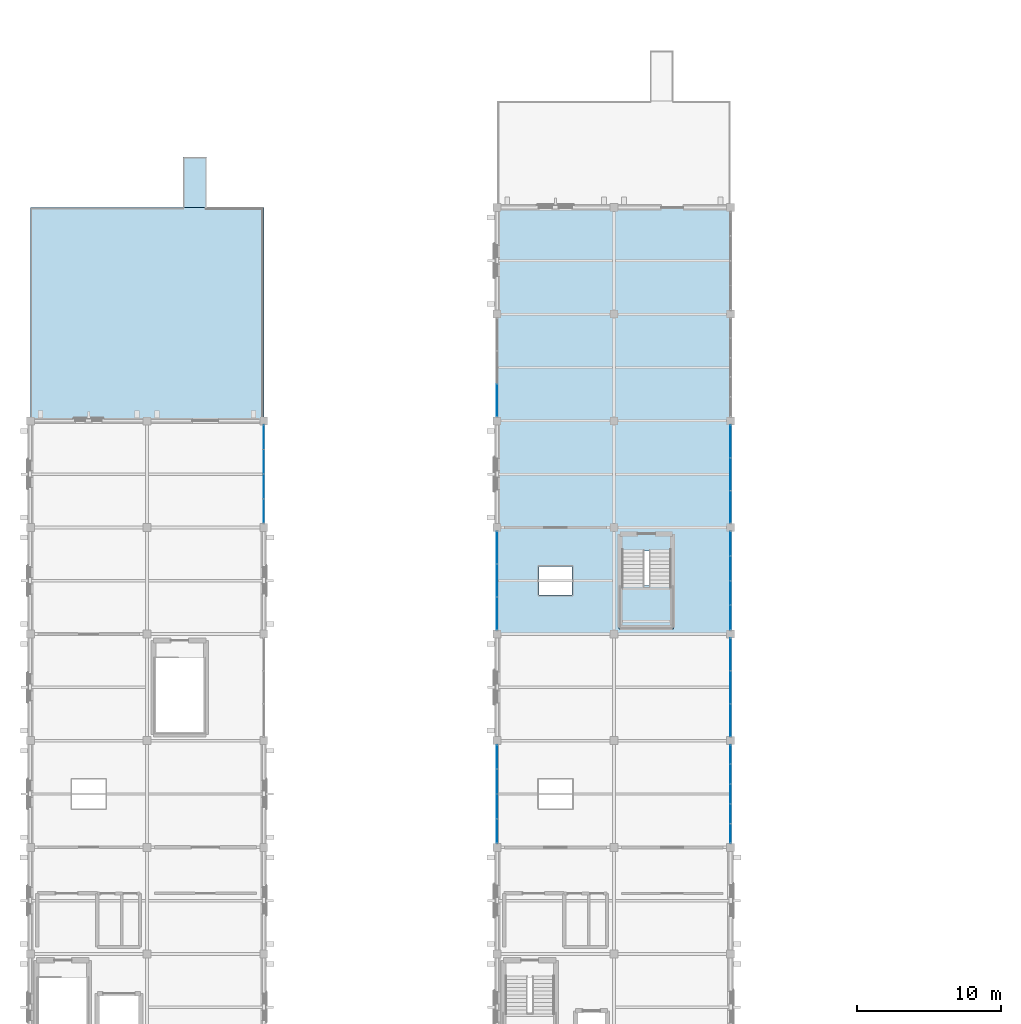
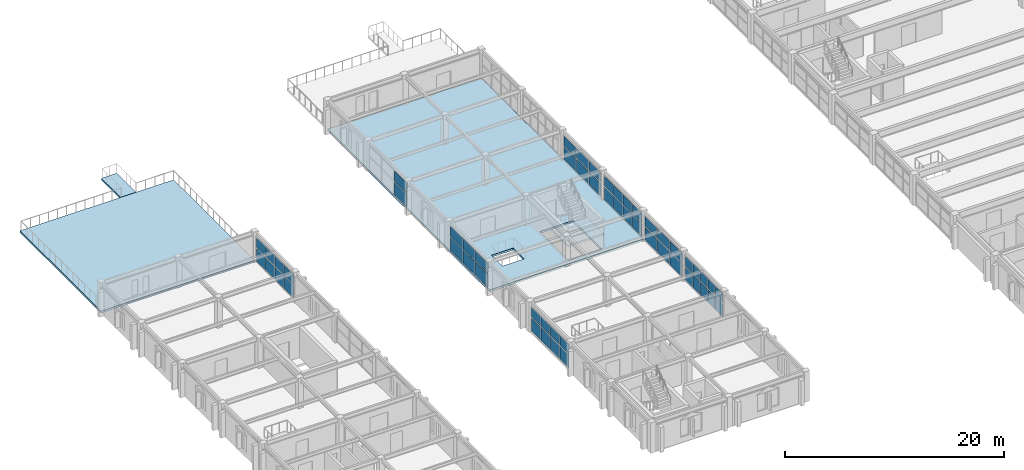
# One storey, part 72 of 93: 54 plates, 4 slabs, 9 elements without a shape of their own.
"""IFC4 building model written with IfcOpenShell, lengths in metres."""

from ifc_helpers import new_model, si_unit, direction, frame, origin, origin_2d, place, context, subcontext, project, spatial, polyline, rectangle, outline, extrude, material, layer, layer_set, type_object, element, aggregate, save


model = new_model("IFC4")

# Units and contexts
model_context = context("Model", 3, precision=1e-05, world=origin(), true_north=direction((0.0, 1.0)))
body_context = subcontext(model_context, "Body", "Model", "MODEL_VIEW")
ifc_project = project(units=[si_unit("LENGTHUNIT", "METRE"), si_unit("AREAUNIT", "SQUARE_METRE"), si_unit("VOLUMEUNIT", "CUBIC_METRE"), si_unit("PLANEANGLEUNIT", "RADIAN"), si_unit("MASSUNIT", "GRAM", prefix="KILO")], contexts=[model_context])

# Site, building, storey
site_placement = place(None, origin())
site = spatial("IfcSite", under=ifc_project, at=site_placement, CompositionType="ELEMENT")
building_placement = place(site_placement, origin())
building = spatial("IfcBuilding", under=site, at=building_placement, Name="Cimatlan Art Gallery", CompositionType="ELEMENT")
storey_placement = place(building_placement, frame((0.0, 0.0, 13.800048828125)))
storey = spatial("IfcBuildingStorey", under=building, at=storey_placement, Name="L03", CompositionType="ELEMENT", Elevation=13.800048828125)

# Curtain wall, plates
ifc_material_1 = material(Name="Anodised bronze unitised curtain wall")
curtain_wall_type_1 = type_object("IfcCurtainWallType", Name="CW-V-06842X02878-B5", PredefinedType="NOTDEFINED", material=ifc_material_1)
curtain_wall_1_placement = place(storey_placement, origin())
curtain_wall_1 = element("IfcCurtainWall", 1, at=curtain_wall_1_placement, inside=storey, type_object=curtain_wall_type_1, Name="CW-L03-05-05-E", PredefinedType="NOTDEFINED")
ifc_material_2 = material(Name="Low-E insulated double glazing", Category="glass")
ifc_layer_1 = layer(ifc_material_2, 0.028076171875)
ifc_layer_set_1 = layer_set([ifc_layer_1], Name="Low-E insulated double glazing")
plate_type_1 = type_object("IfcPlateType", Name="PNL-1310X1082", PredefinedType="CURTAIN_PANEL", material=ifc_layer_set_1)
plate_1_placement = place(storey_placement, frame((50.60009765625, 45.13671875, 1.673828125), z_axis=(0.0, 0.0, 1.0), x_axis=(0.0, -1.0, 0.0)))
plate_1 = element("IfcPlate", 2, at=plate_1_placement, type_object=plate_type_1, Name="CW-L03-05-05-E-P12", PredefinedType="CURTAIN_PANEL", context=body_context, shape_type="SweptSolid", body=[
    extrude(rectangle(XDim=1.31005859375, YDim=0.028076171875, at=origin_2d()), origin(), (0.0, 0.0, 1.0), 1.08203125),
])
plate_2_placement = place(storey_placement, frame((50.60009765625, 43.768310546875, 1.673828125), z_axis=(0.0, 0.0, 1.0), x_axis=(0.0, -1.0, 0.0)))
plate_2 = element("IfcPlate", 3, at=plate_2_placement, type_object=plate_type_1, Name="CW-L03-05-05-E-P22", PredefinedType="CURTAIN_PANEL", context=body_context, shape_type="SweptSolid", body=[
    extrude(rectangle(XDim=1.31005859375, YDim=0.028076171875, at=origin_2d()), origin(), (0.0, 0.0, 1.0), 1.08203125),
])
plate_3_placement = place(storey_placement, frame((50.60009765625, 42.39990234375, 1.673828125), z_axis=(0.0, 0.0, 1.0), x_axis=(0.0, -1.0, 0.0)))
plate_3 = element("IfcPlate", 4, at=plate_3_placement, type_object=plate_type_1, Name="CW-L03-05-05-E-P32", PredefinedType="CURTAIN_PANEL", context=body_context, shape_type="SweptSolid", body=[
    extrude(rectangle(XDim=1.31005859375, YDim=0.028076171875, at=origin_2d()), origin(), (0.0, 0.0, 1.0), 1.08203125),
])
plate_4_placement = place(storey_placement, frame((50.60009765625, 41.031494140625, 1.673828125), z_axis=(0.0, 0.0, 1.0), x_axis=(0.0, -1.0, 0.0)))
plate_4 = element("IfcPlate", 5, at=plate_4_placement, type_object=plate_type_1, Name="CW-L03-05-05-E-P42", PredefinedType="CURTAIN_PANEL", context=body_context, shape_type="SweptSolid", body=[
    extrude(rectangle(XDim=1.31005859375, YDim=0.028076171875, at=origin_2d()), origin(), (0.0, 0.0, 1.0), 1.08203125),
])
plate_5_placement = place(storey_placement, frame((50.60009765625, 39.6630859375, 1.673828125), z_axis=(0.0, 0.0, 1.0), x_axis=(0.0, -1.0, 0.0)))
plate_5 = element("IfcPlate", 6, at=plate_5_placement, type_object=plate_type_1, Name="CW-L03-05-05-E-P52", PredefinedType="CURTAIN_PANEL", context=body_context, shape_type="SweptSolid", body=[
    extrude(rectangle(XDim=1.31005859375, YDim=0.028076171875, at=origin_2d()), origin(), (0.0, 0.0, 1.0), 1.08203125),
])
ifc_layer_2 = layer(ifc_material_2, 0.028076171875)
ifc_layer_set_2 = layer_set([ifc_layer_2], Name="Low-E insulated double glazing")
plate_type_2 = type_object("IfcPlateType", Name="PNL-1310X1428", PredefinedType="CURTAIN_PANEL", material=ifc_layer_set_2)
plate_6_placement = place(storey_placement, frame((50.60009765625, 45.13671875, 0.12158203125), z_axis=(0.0, 0.0, 1.0), x_axis=(0.0, -1.0, 0.0)))
plate_6 = element("IfcPlate", 7, at=plate_6_placement, type_object=plate_type_2, Name="CW-L03-05-05-E-P11", PredefinedType="CURTAIN_PANEL", context=body_context, shape_type="SweptSolid", body=[
    extrude(rectangle(XDim=1.31005859375, YDim=0.028076171875, at=origin_2d()), origin(), (0.0, 0.0, 1.0), 1.427978515625),
])
plate_7_placement = place(storey_placement, frame((50.60009765625, 43.768310546875, 0.12158203125), z_axis=(0.0, 0.0, 1.0), x_axis=(0.0, -1.0, 0.0)))
plate_7 = element("IfcPlate", 8, at=plate_7_placement, type_object=plate_type_2, Name="CW-L03-05-05-E-P21", PredefinedType="CURTAIN_PANEL", context=body_context, shape_type="SweptSolid", body=[
    extrude(rectangle(XDim=1.31005859375, YDim=0.028076171875, at=origin_2d()), origin(), (0.0, 0.0, 1.0), 1.427978515625),
])
plate_8_placement = place(storey_placement, frame((50.60009765625, 42.39990234375, 0.12158203125), z_axis=(0.0, 0.0, 1.0), x_axis=(0.0, -1.0, 0.0)))
plate_8 = element("IfcPlate", 9, at=plate_8_placement, type_object=plate_type_2, Name="CW-L03-05-05-E-P31", PredefinedType="CURTAIN_PANEL", context=body_context, shape_type="SweptSolid", body=[
    extrude(rectangle(XDim=1.31005859375, YDim=0.028076171875, at=origin_2d()), origin(), (0.0, 0.0, 1.0), 1.427978515625),
])
plate_9_placement = place(storey_placement, frame((50.60009765625, 41.031494140625, 0.12158203125), z_axis=(0.0, 0.0, 1.0), x_axis=(0.0, -1.0, 0.0)))
plate_9 = element("IfcPlate", 10, at=plate_9_placement, type_object=plate_type_2, Name="CW-L03-05-05-E-P41", PredefinedType="CURTAIN_PANEL", context=body_context, shape_type="SweptSolid", body=[
    extrude(rectangle(XDim=1.31005859375, YDim=0.028076171875, at=origin_2d()), origin(), (0.0, 0.0, 1.0), 1.427978515625),
])
plate_10_placement = place(storey_placement, frame((50.60009765625, 39.6630859375, 0.12158203125), z_axis=(0.0, 0.0, 1.0), x_axis=(0.0, -1.0, 0.0)))
plate_10 = element("IfcPlate", 11, at=plate_10_placement, type_object=plate_type_2, Name="CW-L03-05-05-E-P51", PredefinedType="CURTAIN_PANEL", context=body_context, shape_type="SweptSolid", body=[
    extrude(rectangle(XDim=1.31005859375, YDim=0.028076171875, at=origin_2d()), origin(), (0.0, 0.0, 1.0), 1.427978515625),
])
aggregate(curtain_wall_1, [plate_6, plate_1, plate_7, plate_2, plate_8, plate_3, plate_9, plate_4, plate_10, plate_5])

curtain_wall_type_2 = type_object("IfcCurtainWallType", Name="CW-V-06842X02833-B4", PredefinedType="NOTDEFINED", material=ifc_material_1)
curtain_wall_2_placement = place(storey_placement, origin())
curtain_wall_2 = element("IfcCurtainWall", 12, at=curtain_wall_2_placement, inside=storey, type_object=curtain_wall_type_2, Name="CW-L03-01-08-E", PredefinedType="NOTDEFINED")
ifc_layer_3 = layer(ifc_material_2, 0.028076171875)
ifc_layer_set_3 = layer_set([ifc_layer_3], Name="Low-E insulated double glazing")
plate_type_3 = type_object("IfcPlateType", Name="PNL-1652X1062", PredefinedType="CURTAIN_PANEL", material=ifc_layer_set_3)
plate_11_placement = place(storey_placement, frame((18.199951171875, 67.165771484375, 1.648681640625), z_axis=(0.0, 0.0, 1.0), x_axis=(0.0, -1.0, 0.0)))
plate_11 = element("IfcPlate", 13, at=plate_11_placement, type_object=plate_type_3, Name="CW-L03-01-08-E-P12", PredefinedType="CURTAIN_PANEL", context=body_context, shape_type="SweptSolid", body=[
    extrude(rectangle(XDim=1.652099609375, YDim=0.028076171875, at=origin_2d()), origin(), (0.0, 0.0, 1.0), 1.06201171875),
])
plate_12_placement = place(storey_placement, frame((18.199951171875, 65.455322265625, 1.648681640625), z_axis=(0.0, 0.0, 1.0), x_axis=(0.0, -1.0, 0.0)))
plate_12 = element("IfcPlate", 14, at=plate_12_placement, type_object=plate_type_3, Name="CW-L03-01-08-E-P22", PredefinedType="CURTAIN_PANEL", context=body_context, shape_type="SweptSolid", body=[
    extrude(rectangle(XDim=1.652099609375, YDim=0.028076171875, at=origin_2d()), origin(), (0.0, 0.0, 1.0), 1.06201171875),
])
plate_13_placement = place(storey_placement, frame((18.199951171875, 63.74462890625, 1.648681640625), z_axis=(0.0, 0.0, 1.0), x_axis=(0.0, -1.0, 0.0)))
plate_13 = element("IfcPlate", 15, at=plate_13_placement, type_object=plate_type_3, Name="CW-L03-01-08-E-P32", PredefinedType="CURTAIN_PANEL", context=body_context, shape_type="SweptSolid", body=[
    extrude(rectangle(XDim=1.652099609375, YDim=0.028076171875, at=origin_2d()), origin(), (0.0, 0.0, 1.0), 1.06201171875),
])
plate_14_placement = place(storey_placement, frame((18.199951171875, 62.0341796875, 1.648681640625), z_axis=(0.0, 0.0, 1.0), x_axis=(0.0, -1.0, 0.0)))
plate_14 = element("IfcPlate", 16, at=plate_14_placement, type_object=plate_type_3, Name="CW-L03-01-08-E-P42", PredefinedType="CURTAIN_PANEL", context=body_context, shape_type="SweptSolid", body=[
    extrude(rectangle(XDim=1.652099609375, YDim=0.028076171875, at=origin_2d()), origin(), (0.0, 0.0, 1.0), 1.06201171875),
])

curtain_wall_3_placement = place(storey_placement, origin())
curtain_wall_3 = element("IfcCurtainWall", 17, at=curtain_wall_3_placement, inside=storey, type_object=curtain_wall_type_2, Name="CW-L03-04-05-W", PredefinedType="NOTDEFINED")
plate_15_placement = place(storey_placement, frame((34.39990234375, 39.834228515625, 1.648681640625), z_axis=(0.0, 0.0, 1.0), x_axis=(0.0, 1.0, 0.0)))
plate_15 = element("IfcPlate", 18, at=plate_15_placement, type_object=plate_type_3, Name="CW-L03-04-05-W-P12", PredefinedType="CURTAIN_PANEL", context=body_context, shape_type="SweptSolid", body=[
    extrude(rectangle(XDim=1.652099609375, YDim=0.028076171875, at=origin_2d()), origin(), (0.0, 0.0, 1.0), 1.06201171875),
])
plate_16_placement = place(storey_placement, frame((34.39990234375, 41.544677734375, 1.648681640625), z_axis=(0.0, 0.0, 1.0), x_axis=(0.0, 1.0, 0.0)))
plate_16 = element("IfcPlate", 19, at=plate_16_placement, type_object=plate_type_3, Name="CW-L03-04-05-W-P22", PredefinedType="CURTAIN_PANEL", context=body_context, shape_type="SweptSolid", body=[
    extrude(rectangle(XDim=1.652099609375, YDim=0.028076171875, at=origin_2d()), origin(), (0.0, 0.0, 1.0), 1.06201171875),
])
plate_17_placement = place(storey_placement, frame((34.39990234375, 43.25537109375, 1.648681640625), z_axis=(0.0, 0.0, 1.0), x_axis=(0.0, 1.0, 0.0)))
plate_17 = element("IfcPlate", 20, at=plate_17_placement, type_object=plate_type_3, Name="CW-L03-04-05-W-P32", PredefinedType="CURTAIN_PANEL", context=body_context, shape_type="SweptSolid", body=[
    extrude(rectangle(XDim=1.652099609375, YDim=0.028076171875, at=origin_2d()), origin(), (0.0, 0.0, 1.0), 1.06201171875),
])
plate_18_placement = place(storey_placement, frame((34.39990234375, 44.9658203125, 1.648681640625), z_axis=(0.0, 0.0, 1.0), x_axis=(0.0, 1.0, 0.0)))
plate_18 = element("IfcPlate", 21, at=plate_18_placement, type_object=plate_type_3, Name="CW-L03-04-05-W-P42", PredefinedType="CURTAIN_PANEL", context=body_context, shape_type="SweptSolid", body=[
    extrude(rectangle(XDim=1.652099609375, YDim=0.028076171875, at=origin_2d()), origin(), (0.0, 0.0, 1.0), 1.06201171875),
])

curtain_wall_type_3 = type_object("IfcCurtainWallType", Name="CW-V-06842X02848-B4", PredefinedType="NOTDEFINED", material=ifc_material_1)
curtain_wall_4_placement = place(storey_placement, origin())
curtain_wall_4 = element("IfcCurtainWall", 22, at=curtain_wall_4_placement, inside=storey, type_object=curtain_wall_type_3, Name="CW-L03-05-07-E", PredefinedType="NOTDEFINED")
ifc_layer_4 = layer(ifc_material_2, 0.028076171875)
ifc_layer_set_4 = layer_set([ifc_layer_4], Name="Low-E insulated double glazing")
plate_type_4 = type_object("IfcPlateType", Name="PNL-1652X1069", PredefinedType="CURTAIN_PANEL", material=ifc_layer_set_4)
plate_19_placement = place(storey_placement, frame((50.60009765625, 59.765869140625, 1.65673828125), z_axis=(0.0, 0.0, 1.0), x_axis=(0.0, -1.0, 0.0)))
plate_19 = element("IfcPlate", 23, at=plate_19_placement, type_object=plate_type_4, Name="CW-L03-05-07-E-P12", PredefinedType="CURTAIN_PANEL", context=body_context, shape_type="SweptSolid", body=[
    extrude(rectangle(XDim=1.652099609375, YDim=0.028076171875, at=origin_2d()), origin(), (0.0, 0.0, 1.0), 1.069091796875),
])
plate_20_placement = place(storey_placement, frame((50.60009765625, 58.05517578125, 1.65673828125), z_axis=(0.0, 0.0, 1.0), x_axis=(0.0, -1.0, 0.0)))
plate_20 = element("IfcPlate", 24, at=plate_20_placement, type_object=plate_type_4, Name="CW-L03-05-07-E-P22", PredefinedType="CURTAIN_PANEL", context=body_context, shape_type="SweptSolid", body=[
    extrude(rectangle(XDim=1.652099609375, YDim=0.028076171875, at=origin_2d()), origin(), (0.0, 0.0, 1.0), 1.069091796875),
])
plate_21_placement = place(storey_placement, frame((50.60009765625, 56.3447265625, 1.65673828125), z_axis=(0.0, 0.0, 1.0), x_axis=(0.0, -1.0, 0.0)))
plate_21 = element("IfcPlate", 25, at=plate_21_placement, type_object=plate_type_4, Name="CW-L03-05-07-E-P32", PredefinedType="CURTAIN_PANEL", context=body_context, shape_type="SweptSolid", body=[
    extrude(rectangle(XDim=1.652099609375, YDim=0.028076171875, at=origin_2d()), origin(), (0.0, 0.0, 1.0), 1.069091796875),
])
plate_22_placement = place(storey_placement, frame((50.60009765625, 54.63427734375, 1.65673828125), z_axis=(0.0, 0.0, 1.0), x_axis=(0.0, -1.0, 0.0)))
plate_22 = element("IfcPlate", 26, at=plate_22_placement, type_object=plate_type_4, Name="CW-L03-05-07-E-P42", PredefinedType="CURTAIN_PANEL", context=body_context, shape_type="SweptSolid", body=[
    extrude(rectangle(XDim=1.652099609375, YDim=0.028076171875, at=origin_2d()), origin(), (0.0, 0.0, 1.0), 1.069091796875),
])

# Plate
ifc_layer_5 = layer(ifc_material_2, 0.028076171875)
ifc_layer_set_5 = layer_set([ifc_layer_5], Name="Low-E insulated double glazing")
plate_type_5 = type_object("IfcPlateType", Name="PNL-1652X1402", PredefinedType="CURTAIN_PANEL", material=ifc_layer_set_5)
plate_23_placement = place(storey_placement, frame((18.199951171875, 67.165771484375, 0.1220703125), z_axis=(0.0, 0.0, 1.0), x_axis=(0.0, -1.0, 0.0)))
plate_23 = element("IfcPlate", 27, at=plate_23_placement, type_object=plate_type_5, Name="CW-L03-01-08-E-P11", PredefinedType="CURTAIN_PANEL", context=body_context, shape_type="SweptSolid", body=[
    extrude(rectangle(XDim=1.652099609375, YDim=0.028076171875, at=origin_2d()), origin(), (0.0, 0.0, 1.0), 1.402099609375),
])

plate_24_placement = place(storey_placement, frame((18.199951171875, 65.455322265625, 0.1220703125), z_axis=(0.0, 0.0, 1.0), x_axis=(0.0, -1.0, 0.0)))
plate_24 = element("IfcPlate", 28, at=plate_24_placement, type_object=plate_type_5, Name="CW-L03-01-08-E-P21", PredefinedType="CURTAIN_PANEL", context=body_context, shape_type="SweptSolid", body=[
    extrude(rectangle(XDim=1.652099609375, YDim=0.028076171875, at=origin_2d()), origin(), (0.0, 0.0, 1.0), 1.402099609375),
])

plate_25_placement = place(storey_placement, frame((18.199951171875, 63.74462890625, 0.1220703125), z_axis=(0.0, 0.0, 1.0), x_axis=(0.0, -1.0, 0.0)))
plate_25 = element("IfcPlate", 29, at=plate_25_placement, type_object=plate_type_5, Name="CW-L03-01-08-E-P31", PredefinedType="CURTAIN_PANEL", context=body_context, shape_type="SweptSolid", body=[
    extrude(rectangle(XDim=1.652099609375, YDim=0.028076171875, at=origin_2d()), origin(), (0.0, 0.0, 1.0), 1.402099609375),
])

plate_26_placement = place(storey_placement, frame((18.199951171875, 62.0341796875, 0.1220703125), z_axis=(0.0, 0.0, 1.0), x_axis=(0.0, -1.0, 0.0)))
plate_26 = element("IfcPlate", 30, at=plate_26_placement, type_object=plate_type_5, Name="CW-L03-01-08-E-P41", PredefinedType="CURTAIN_PANEL", context=body_context, shape_type="SweptSolid", body=[
    extrude(rectangle(XDim=1.652099609375, YDim=0.028076171875, at=origin_2d()), origin(), (0.0, 0.0, 1.0), 1.402099609375),
])

aggregate(curtain_wall_2, [plate_23, plate_11, plate_24, plate_12, plate_25, plate_13, plate_26, plate_14])

plate_27_placement = place(storey_placement, frame((34.39990234375, 39.834228515625, 0.1220703125), z_axis=(0.0, 0.0, 1.0), x_axis=(0.0, 1.0, 0.0)))
plate_27 = element("IfcPlate", 31, at=plate_27_placement, type_object=plate_type_5, Name="CW-L03-04-05-W-P11", PredefinedType="CURTAIN_PANEL", context=body_context, shape_type="SweptSolid", body=[
    extrude(rectangle(XDim=1.652099609375, YDim=0.028076171875, at=origin_2d()), origin(), (0.0, 0.0, 1.0), 1.402099609375),
])

plate_28_placement = place(storey_placement, frame((34.39990234375, 41.544677734375, 0.1220703125), z_axis=(0.0, 0.0, 1.0), x_axis=(0.0, 1.0, 0.0)))
plate_28 = element("IfcPlate", 32, at=plate_28_placement, type_object=plate_type_5, Name="CW-L03-04-05-W-P21", PredefinedType="CURTAIN_PANEL", context=body_context, shape_type="SweptSolid", body=[
    extrude(rectangle(XDim=1.652099609375, YDim=0.028076171875, at=origin_2d()), origin(), (0.0, 0.0, 1.0), 1.402099609375),
])

plate_29_placement = place(storey_placement, frame((34.39990234375, 43.25537109375, 0.1220703125), z_axis=(0.0, 0.0, 1.0), x_axis=(0.0, 1.0, 0.0)))
plate_29 = element("IfcPlate", 33, at=plate_29_placement, type_object=plate_type_5, Name="CW-L03-04-05-W-P31", PredefinedType="CURTAIN_PANEL", context=body_context, shape_type="SweptSolid", body=[
    extrude(rectangle(XDim=1.652099609375, YDim=0.028076171875, at=origin_2d()), origin(), (0.0, 0.0, 1.0), 1.402099609375),
])

plate_30_placement = place(storey_placement, frame((34.39990234375, 44.9658203125, 0.1220703125), z_axis=(0.0, 0.0, 1.0), x_axis=(0.0, 1.0, 0.0)))
plate_30 = element("IfcPlate", 34, at=plate_30_placement, type_object=plate_type_5, Name="CW-L03-04-05-W-P41", PredefinedType="CURTAIN_PANEL", context=body_context, shape_type="SweptSolid", body=[
    extrude(rectangle(XDim=1.652099609375, YDim=0.028076171875, at=origin_2d()), origin(), (0.0, 0.0, 1.0), 1.402099609375),
])

aggregate(curtain_wall_3, [plate_27, plate_15, plate_28, plate_16, plate_29, plate_17, plate_30, plate_18])

ifc_layer_6 = layer(ifc_material_2, 0.028076171875)
ifc_layer_set_6 = layer_set([ifc_layer_6], Name="Low-E insulated double glazing")
plate_type_6 = type_object("IfcPlateType", Name="PNL-1652X1411", PredefinedType="CURTAIN_PANEL", material=ifc_layer_set_6)
plate_31_placement = place(storey_placement, frame((50.60009765625, 59.765869140625, 0.1220703125), z_axis=(0.0, 0.0, 1.0), x_axis=(0.0, -1.0, 0.0)))
plate_31 = element("IfcPlate", 35, at=plate_31_placement, type_object=plate_type_6, Name="CW-L03-05-07-E-P11", PredefinedType="CURTAIN_PANEL", context=body_context, shape_type="SweptSolid", body=[
    extrude(rectangle(XDim=1.652099609375, YDim=0.028076171875, at=origin_2d()), origin(), (0.0, 0.0, 1.0), 1.410888671875),
])

plate_32_placement = place(storey_placement, frame((50.60009765625, 58.05517578125, 0.1220703125), z_axis=(0.0, 0.0, 1.0), x_axis=(0.0, -1.0, 0.0)))
plate_32 = element("IfcPlate", 36, at=plate_32_placement, type_object=plate_type_6, Name="CW-L03-05-07-E-P21", PredefinedType="CURTAIN_PANEL", context=body_context, shape_type="SweptSolid", body=[
    extrude(rectangle(XDim=1.652099609375, YDim=0.028076171875, at=origin_2d()), origin(), (0.0, 0.0, 1.0), 1.410888671875),
])

plate_33_placement = place(storey_placement, frame((50.60009765625, 56.3447265625, 0.1220703125), z_axis=(0.0, 0.0, 1.0), x_axis=(0.0, -1.0, 0.0)))
plate_33 = element("IfcPlate", 37, at=plate_33_placement, type_object=plate_type_6, Name="CW-L03-05-07-E-P31", PredefinedType="CURTAIN_PANEL", context=body_context, shape_type="SweptSolid", body=[
    extrude(rectangle(XDim=1.652099609375, YDim=0.028076171875, at=origin_2d()), origin(), (0.0, 0.0, 1.0), 1.410888671875),
])

plate_34_placement = place(storey_placement, frame((50.60009765625, 54.63427734375, 0.1220703125), z_axis=(0.0, 0.0, 1.0), x_axis=(0.0, -1.0, 0.0)))
plate_34 = element("IfcPlate", 38, at=plate_34_placement, type_object=plate_type_6, Name="CW-L03-05-07-E-P41", PredefinedType="CURTAIN_PANEL", context=body_context, shape_type="SweptSolid", body=[
    extrude(rectangle(XDim=1.652099609375, YDim=0.028076171875, at=origin_2d()), origin(), (0.0, 0.0, 1.0), 1.410888671875),
])

aggregate(curtain_wall_4, [plate_31, plate_19, plate_32, plate_20, plate_33, plate_21, plate_34, plate_22])

# Curtain wall, plates
curtain_wall_type_4 = type_object("IfcCurtainWallType", Name="CW-V-06842X02833-B3", PredefinedType="NOTDEFINED", material=ifc_material_1)
curtain_wall_5_placement = place(storey_placement, origin())
curtain_wall_5 = element("IfcCurtainWall", 39, at=curtain_wall_5_placement, inside=storey, type_object=curtain_wall_type_4, Name="CW-L03-05-08-E", PredefinedType="NOTDEFINED")
ifc_layer_7 = layer(ifc_material_2, 0.028076171875)
ifc_layer_set_7 = layer_set([ifc_layer_7], Name="Low-E insulated double glazing")
plate_type_7 = type_object("IfcPlateType", Name="PNL-2223X1062", PredefinedType="CURTAIN_PANEL", material=ifc_layer_set_7)
plate_35_placement = place(storey_placement, frame((50.60009765625, 66.880615234375, 1.648681640625), z_axis=(0.0, 0.0, 1.0), x_axis=(0.0, -1.0, 0.0)))
plate_35 = element("IfcPlate", 40, at=plate_35_placement, type_object=plate_type_7, Name="CW-L03-05-08-E-P12", PredefinedType="CURTAIN_PANEL", context=body_context, shape_type="SweptSolid", body=[
    extrude(rectangle(XDim=2.222900390625, YDim=0.028076171875, at=origin_2d()), origin(), (0.0, 0.0, 1.0), 1.06201171875),
])
plate_36_placement = place(storey_placement, frame((50.60009765625, 64.60009765625, 1.648681640625), z_axis=(0.0, 0.0, 1.0), x_axis=(0.0, -1.0, 0.0)))
plate_36 = element("IfcPlate", 41, at=plate_36_placement, type_object=plate_type_7, Name="CW-L03-05-08-E-P22", PredefinedType="CURTAIN_PANEL", context=body_context, shape_type="SweptSolid", body=[
    extrude(rectangle(XDim=2.222900390625, YDim=0.028076171875, at=origin_2d()), origin(), (0.0, 0.0, 1.0), 1.06201171875),
])
plate_37_placement = place(storey_placement, frame((50.60009765625, 62.3193359375, 1.648681640625), z_axis=(0.0, 0.0, 1.0), x_axis=(0.0, -1.0, 0.0)))
plate_37 = element("IfcPlate", 42, at=plate_37_placement, type_object=plate_type_7, Name="CW-L03-05-08-E-P32", PredefinedType="CURTAIN_PANEL", context=body_context, shape_type="SweptSolid", body=[
    extrude(rectangle(XDim=2.222900390625, YDim=0.028076171875, at=origin_2d()), origin(), (0.0, 0.0, 1.0), 1.06201171875),
])

# Curtain wall, plate
curtain_wall_type_5 = type_object("IfcCurtainWallType", Name="CW-V-06842X02863-B3", PredefinedType="NOTDEFINED", material=ifc_material_1)
curtain_wall_6_placement = place(storey_placement, origin())
curtain_wall_6 = element("IfcCurtainWall", 43, at=curtain_wall_6_placement, inside=storey, type_object=curtain_wall_type_5, Name="CW-L03-04-09-W", PredefinedType="NOTDEFINED")
ifc_layer_8 = layer(ifc_material_2, 0.028076171875)
ifc_layer_set_8 = layer_set([ifc_layer_8], Name="Low-E insulated double glazing")
plate_type_8 = type_object("IfcPlateType", Name="PNL-2223X1076", PredefinedType="CURTAIN_PANEL", material=ifc_layer_set_8)
plate_38_placement = place(storey_placement, frame((34.39990234375, 69.71923828125, 1.6650390625), z_axis=(0.0, 0.0, 1.0), x_axis=(0.0, 1.0, 0.0)))
plate_38 = element("IfcPlate", 44, at=plate_38_placement, type_object=plate_type_8, Name="CW-L03-04-09-W-P12", PredefinedType="CURTAIN_PANEL", context=body_context, shape_type="SweptSolid", body=[
    extrude(rectangle(XDim=2.222900390625, YDim=0.028076171875, at=origin_2d()), origin(), (0.0, 0.0, 1.0), 1.075927734375),
])

# Curtain wall, plates
curtain_wall_7_placement = place(storey_placement, origin())
curtain_wall_7 = element("IfcCurtainWall", 45, at=curtain_wall_7_placement, inside=storey, type_object=curtain_wall_type_5, Name="CW-L03-05-06-E", PredefinedType="NOTDEFINED")
plate_39_placement = place(storey_placement, frame((50.60009765625, 52.08056640625, 1.6650390625), z_axis=(0.0, 0.0, 1.0), x_axis=(0.0, -1.0, 0.0)))
plate_39 = element("IfcPlate", 46, at=plate_39_placement, type_object=plate_type_8, Name="CW-L03-05-06-E-P12", PredefinedType="CURTAIN_PANEL", context=body_context, shape_type="SweptSolid", body=[
    extrude(rectangle(XDim=2.222900390625, YDim=0.028076171875, at=origin_2d()), origin(), (0.0, 0.0, 1.0), 1.075927734375),
])
plate_40_placement = place(storey_placement, frame((50.60009765625, 49.800048828125, 1.6650390625), z_axis=(0.0, 0.0, 1.0), x_axis=(0.0, -1.0, 0.0)))
plate_40 = element("IfcPlate", 47, at=plate_40_placement, type_object=plate_type_8, Name="CW-L03-05-06-E-P22", PredefinedType="CURTAIN_PANEL", context=body_context, shape_type="SweptSolid", body=[
    extrude(rectangle(XDim=2.222900390625, YDim=0.028076171875, at=origin_2d()), origin(), (0.0, 0.0, 1.0), 1.075927734375),
])
plate_41_placement = place(storey_placement, frame((50.60009765625, 47.519287109375, 1.6650390625), z_axis=(0.0, 0.0, 1.0), x_axis=(0.0, -1.0, 0.0)))
plate_41 = element("IfcPlate", 48, at=plate_41_placement, type_object=plate_type_8, Name="CW-L03-05-06-E-P32", PredefinedType="CURTAIN_PANEL", context=body_context, shape_type="SweptSolid", body=[
    extrude(rectangle(XDim=2.222900390625, YDim=0.028076171875, at=origin_2d()), origin(), (0.0, 0.0, 1.0), 1.075927734375),
])

curtain_wall_type_6 = type_object("IfcCurtainWallType", Name="CW-V-06842X02893-B3", PredefinedType="NOTDEFINED", material=ifc_material_1)
curtain_wall_8_placement = place(storey_placement, origin())
curtain_wall_8 = element("IfcCurtainWall", 49, at=curtain_wall_8_placement, inside=storey, type_object=curtain_wall_type_6, Name="CW-L03-04-07-W", PredefinedType="NOTDEFINED")
ifc_layer_9 = layer(ifc_material_2, 0.028076171875)
ifc_layer_set_9 = layer_set([ifc_layer_9], Name="Low-E insulated double glazing")
plate_type_9 = type_object("IfcPlateType", Name="PNL-2223X1089", PredefinedType="CURTAIN_PANEL", material=ifc_layer_set_9)
plate_42_placement = place(storey_placement, frame((34.39990234375, 54.91943359375, 1.68212890625), z_axis=(0.0, 0.0, 1.0), x_axis=(0.0, 1.0, 0.0)))
plate_42 = element("IfcPlate", 50, at=plate_42_placement, type_object=plate_type_9, Name="CW-L03-04-07-W-P12", PredefinedType="CURTAIN_PANEL", context=body_context, shape_type="SweptSolid", body=[
    extrude(rectangle(XDim=2.222900390625, YDim=0.028076171875, at=origin_2d()), origin(), (0.0, 0.0, 1.0), 1.089111328125),
])
plate_43_placement = place(storey_placement, frame((34.39990234375, 57.199951171875, 1.68212890625), z_axis=(0.0, 0.0, 1.0), x_axis=(0.0, 1.0, 0.0)))
plate_43 = element("IfcPlate", 51, at=plate_43_placement, type_object=plate_type_9, Name="CW-L03-04-07-W-P22", PredefinedType="CURTAIN_PANEL", context=body_context, shape_type="SweptSolid", body=[
    extrude(rectangle(XDim=2.222900390625, YDim=0.028076171875, at=origin_2d()), origin(), (0.0, 0.0, 1.0), 1.089111328125),
])
plate_44_placement = place(storey_placement, frame((34.39990234375, 59.480712890625, 1.68212890625), z_axis=(0.0, 0.0, 1.0), x_axis=(0.0, 1.0, 0.0)))
plate_44 = element("IfcPlate", 52, at=plate_44_placement, type_object=plate_type_9, Name="CW-L03-04-07-W-P32", PredefinedType="CURTAIN_PANEL", context=body_context, shape_type="SweptSolid", body=[
    extrude(rectangle(XDim=2.222900390625, YDim=0.028076171875, at=origin_2d()), origin(), (0.0, 0.0, 1.0), 1.089111328125),
])

# Plate
ifc_layer_10 = layer(ifc_material_2, 0.028076171875)
ifc_layer_set_10 = layer_set([ifc_layer_10], Name="Low-E insulated double glazing")
plate_type_10 = type_object("IfcPlateType", Name="PNL-2223X1402", PredefinedType="CURTAIN_PANEL", material=ifc_layer_set_10)
plate_45_placement = place(storey_placement, frame((50.60009765625, 66.880615234375, 0.1220703125), z_axis=(0.0, 0.0, 1.0), x_axis=(0.0, -1.0, 0.0)))
plate_45 = element("IfcPlate", 53, at=plate_45_placement, type_object=plate_type_10, Name="CW-L03-05-08-E-P11", PredefinedType="CURTAIN_PANEL", context=body_context, shape_type="SweptSolid", body=[
    extrude(rectangle(XDim=2.222900390625, YDim=0.028076171875, at=origin_2d()), origin(), (0.0, 0.0, 1.0), 1.402099609375),
])

plate_46_placement = place(storey_placement, frame((50.60009765625, 64.60009765625, 0.1220703125), z_axis=(0.0, 0.0, 1.0), x_axis=(0.0, -1.0, 0.0)))
plate_46 = element("IfcPlate", 54, at=plate_46_placement, type_object=plate_type_10, Name="CW-L03-05-08-E-P21", PredefinedType="CURTAIN_PANEL", context=body_context, shape_type="SweptSolid", body=[
    extrude(rectangle(XDim=2.222900390625, YDim=0.028076171875, at=origin_2d()), origin(), (0.0, 0.0, 1.0), 1.402099609375),
])

plate_47_placement = place(storey_placement, frame((50.60009765625, 62.3193359375, 0.1220703125), z_axis=(0.0, 0.0, 1.0), x_axis=(0.0, -1.0, 0.0)))
plate_47 = element("IfcPlate", 55, at=plate_47_placement, type_object=plate_type_10, Name="CW-L03-05-08-E-P31", PredefinedType="CURTAIN_PANEL", context=body_context, shape_type="SweptSolid", body=[
    extrude(rectangle(XDim=2.222900390625, YDim=0.028076171875, at=origin_2d()), origin(), (0.0, 0.0, 1.0), 1.402099609375),
])

aggregate(curtain_wall_5, [plate_45, plate_35, plate_46, plate_36, plate_47, plate_37])

ifc_layer_11 = layer(ifc_material_2, 0.028076171875)
ifc_layer_set_11 = layer_set([ifc_layer_11], Name="Low-E insulated double glazing")
plate_type_11 = type_object("IfcPlateType", Name="PNL-2223X1419", PredefinedType="CURTAIN_PANEL", material=ifc_layer_set_11)
plate_48_placement = place(storey_placement, frame((34.39990234375, 69.71923828125, 0.1220703125), z_axis=(0.0, 0.0, 1.0), x_axis=(0.0, 1.0, 0.0)))
plate_48 = element("IfcPlate", 56, at=plate_48_placement, type_object=plate_type_11, Name="CW-L03-04-09-W-P11", PredefinedType="CURTAIN_PANEL", context=body_context, shape_type="SweptSolid", body=[
    extrude(rectangle(XDim=2.222900390625, YDim=0.028076171875, at=origin_2d()), origin(), (0.0, 0.0, 1.0), 1.4189453125),
])

aggregate(curtain_wall_6, [plate_48, plate_38])

plate_49_placement = place(storey_placement, frame((50.60009765625, 52.08056640625, 0.1220703125), z_axis=(0.0, 0.0, 1.0), x_axis=(0.0, -1.0, 0.0)))
plate_49 = element("IfcPlate", 57, at=plate_49_placement, type_object=plate_type_11, Name="CW-L03-05-06-E-P11", PredefinedType="CURTAIN_PANEL", context=body_context, shape_type="SweptSolid", body=[
    extrude(rectangle(XDim=2.222900390625, YDim=0.028076171875, at=origin_2d()), origin(), (0.0, 0.0, 1.0), 1.4189453125),
])

plate_50_placement = place(storey_placement, frame((50.60009765625, 49.800048828125, 0.1220703125), z_axis=(0.0, 0.0, 1.0), x_axis=(0.0, -1.0, 0.0)))
plate_50 = element("IfcPlate", 58, at=plate_50_placement, type_object=plate_type_11, Name="CW-L03-05-06-E-P21", PredefinedType="CURTAIN_PANEL", context=body_context, shape_type="SweptSolid", body=[
    extrude(rectangle(XDim=2.222900390625, YDim=0.028076171875, at=origin_2d()), origin(), (0.0, 0.0, 1.0), 1.4189453125),
])

plate_51_placement = place(storey_placement, frame((50.60009765625, 47.519287109375, 0.1220703125), z_axis=(0.0, 0.0, 1.0), x_axis=(0.0, -1.0, 0.0)))
plate_51 = element("IfcPlate", 59, at=plate_51_placement, type_object=plate_type_11, Name="CW-L03-05-06-E-P31", PredefinedType="CURTAIN_PANEL", context=body_context, shape_type="SweptSolid", body=[
    extrude(rectangle(XDim=2.222900390625, YDim=0.028076171875, at=origin_2d()), origin(), (0.0, 0.0, 1.0), 1.4189453125),
])

aggregate(curtain_wall_7, [plate_49, plate_39, plate_50, plate_40, plate_51, plate_41])

ifc_layer_12 = layer(ifc_material_2, 0.028076171875)
ifc_layer_set_12 = layer_set([ifc_layer_12], Name="Low-E insulated double glazing")
plate_type_12 = type_object("IfcPlateType", Name="PNL-2223X1436", PredefinedType="CURTAIN_PANEL", material=ifc_layer_set_12)
plate_52_placement = place(storey_placement, frame((34.39990234375, 54.91943359375, 0.1220703125), z_axis=(0.0, 0.0, 1.0), x_axis=(0.0, 1.0, 0.0)))
plate_52 = element("IfcPlate", 60, at=plate_52_placement, type_object=plate_type_12, Name="CW-L03-04-07-W-P11", PredefinedType="CURTAIN_PANEL", context=body_context, shape_type="SweptSolid", body=[
    extrude(rectangle(XDim=2.222900390625, YDim=0.028076171875, at=origin_2d()), origin(), (0.0, 0.0, 1.0), 1.43603515625),
])

plate_53_placement = place(storey_placement, frame((34.39990234375, 57.199951171875, 0.1220703125), z_axis=(0.0, 0.0, 1.0), x_axis=(0.0, 1.0, 0.0)))
plate_53 = element("IfcPlate", 61, at=plate_53_placement, type_object=plate_type_12, Name="CW-L03-04-07-W-P21", PredefinedType="CURTAIN_PANEL", context=body_context, shape_type="SweptSolid", body=[
    extrude(rectangle(XDim=2.222900390625, YDim=0.028076171875, at=origin_2d()), origin(), (0.0, 0.0, 1.0), 1.43603515625),
])

plate_54_placement = place(storey_placement, frame((34.39990234375, 59.480712890625, 0.1220703125), z_axis=(0.0, 0.0, 1.0), x_axis=(0.0, 1.0, 0.0)))
plate_54 = element("IfcPlate", 62, at=plate_54_placement, type_object=plate_type_12, Name="CW-L03-04-07-W-P31", PredefinedType="CURTAIN_PANEL", context=body_context, shape_type="SweptSolid", body=[
    extrude(rectangle(XDim=2.222900390625, YDim=0.028076171875, at=origin_2d()), origin(), (0.0, 0.0, 1.0), 1.43603515625),
])

aggregate(curtain_wall_8, [plate_52, plate_42, plate_53, plate_43, plate_54, plate_44])

# Slabs
ifc_material_3 = material(Name="Concrete C35/45", Category="concrete")
ifc_layer_13 = layer(ifc_material_3, 0.22998046875)
ifc_layer_set_13 = layer_set([ifc_layer_13], Name="Concrete C35/45")
slab_type_1 = type_object("IfcSlabType", Name="SLB-FLR-L03", PredefinedType="FLOOR", material=ifc_layer_set_13)
slab_1_placement = place(storey_placement, frame((0.0, 0.0, -0.22998046875)))
element("IfcSlab", 63, at=slab_1_placement, inside=storey, type_object=slab_type_1, Name="SLB-L03-B2N", PredefinedType="FLOOR", context=body_context, shape_type="SweptSolid", body=[
    extrude(outline(polyline([(34.39990234375, 53.5), (50.60009765625, 53.5), (50.60009765625, 83.10009765625), (34.39990234375, 83.10009765625), (34.39990234375, 53.5)]), holes=[polyline([(43.0, 54.02001953125), (46.52001953125, 54.02001953125), (46.52001953125, 59.25), (43.0, 59.25), (43.0, 54.02001953125)]), polyline([(37.300048828125, 56.199951171875), (39.60009765625, 56.199951171875), (39.60009765625, 58.199951171875), (37.300048828125, 58.199951171875), (37.300048828125, 56.199951171875)])]), origin(), (0.0, 0.0, 1.0), 0.22998046875),
])
ifc_layer_14 = layer(ifc_material_3, 0.199951171875)
ifc_layer_set_14 = layer_set([ifc_layer_14], Name="Concrete C35/45")
slab_type_2 = type_object("IfcSlabType", Name="SLB-RMP-LAND-200", PredefinedType="LANDING", material=ifc_layer_set_14)
slab_2_placement = place(storey_placement, frame((0.0, 0.0, -0.199951171875)))
element("IfcSlab", 64, at=slab_2_placement, inside=storey, type_object=slab_type_2, Name="RMP-TER-B1-LND5", PredefinedType="LANDING", context=body_context, shape_type="SweptSolid", body=[
    extrude(outline(polyline([(12.590087890625, 83.10009765625), (14.239990234375, 83.10009765625), (14.239990234375, 86.60009765625), (12.590087890625, 86.60009765625), (12.590087890625, 83.10009765625)])), origin(), (0.0, 0.0, 1.0), 0.199951171875),
])

# Stair, slab
stair_type = type_object("IfcStairType", Name="STR-HALF-155-360", PredefinedType="HALF_TURN_STAIR", material=ifc_material_3)
stair_placement = place(storey_placement, origin())
stair = element("IfcStair", 65, at=stair_placement, inside=storey, type_object=stair_type, Name="STR-C8-L03", PredefinedType="HALF_TURN_STAIR")
ifc_layer_15 = layer(ifc_material_3, 0.219970703125)
ifc_layer_set_15 = layer_set([ifc_layer_15], Name="Concrete C35/45")
slab_type_3 = type_object("IfcSlabType", Name="SLB-STAIR-LAND-220", PredefinedType="LANDING", material=ifc_layer_set_15)
slab_3_placement = place(storey_placement, frame((0.0, 0.0, 1.579833984375)))
slab_3 = element("IfcSlab", 66, at=slab_3_placement, type_object=slab_type_3, Name="STR-C8-L03-LND", PredefinedType="LANDING", context=body_context, shape_type="SweptSolid", body=[
    extrude(outline(polyline([(42.85009765625, 53.85009765625), (46.639892578125, 53.85009765625), (46.639892578125, 56.8798828125), (42.85009765625, 56.8798828125), (42.85009765625, 53.85009765625)])), origin(), (0.0, 0.0, 1.0), 0.22021484375),
])
aggregate(stair, [slab_3])

# Slab
ifc_layer_16 = layer(ifc_material_3, 0.219970703125)
ifc_layer_set_16 = layer_set([ifc_layer_16], Name="Concrete C35/45")
slab_type_4 = type_object("IfcSlabType", Name="SLB-TER-220", PredefinedType="FLOOR", material=ifc_layer_set_16)
slab_4_placement = place(storey_placement, frame((0.0, 0.0, -0.219970703125)))
element("IfcSlab", 67, at=slab_4_placement, inside=storey, type_object=slab_type_4, Name="TER-L03-B1", PredefinedType="FLOOR", context=body_context, shape_type="SweptSolid", body=[
    extrude(outline(polyline([(2.0, 68.300048828125), (18.199951171875, 68.300048828125), (18.199951171875, 83.10009765625), (2.0, 83.10009765625), (2.0, 68.300048828125)])), origin(), (0.0, 0.0, 1.0), 0.219970703125),
])

save(model, "model.ifc")
